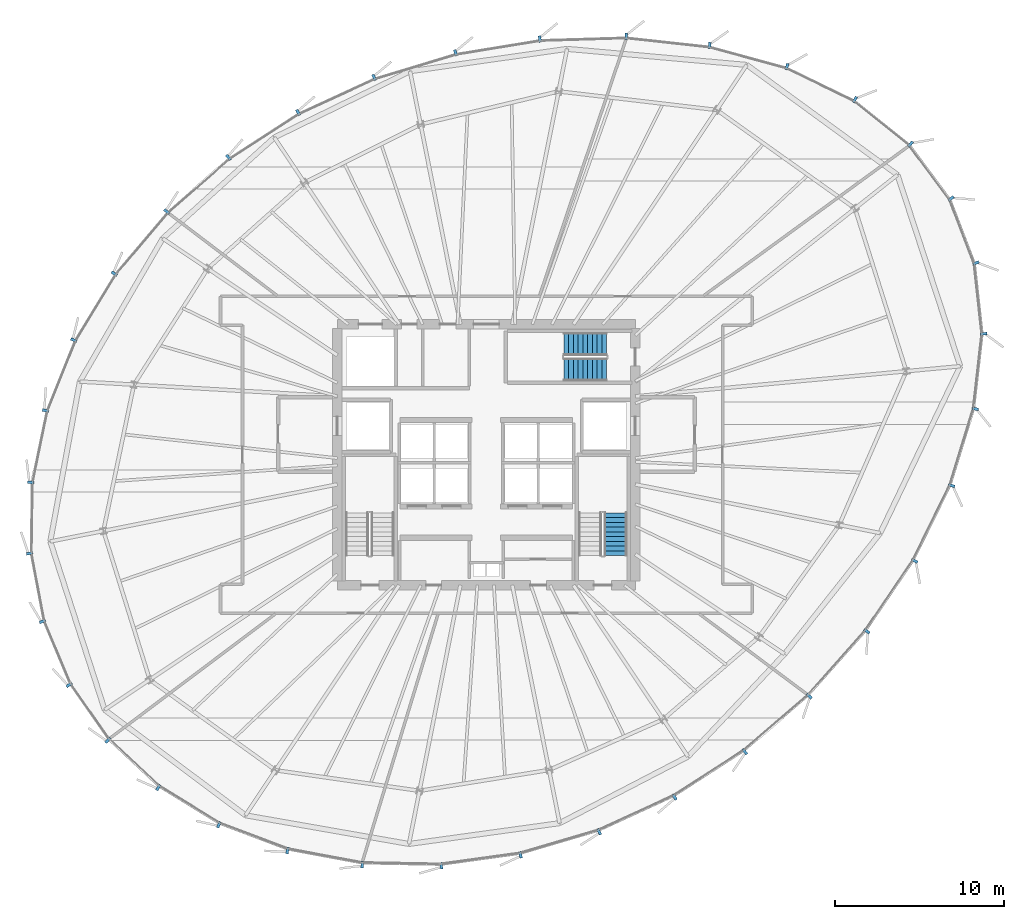
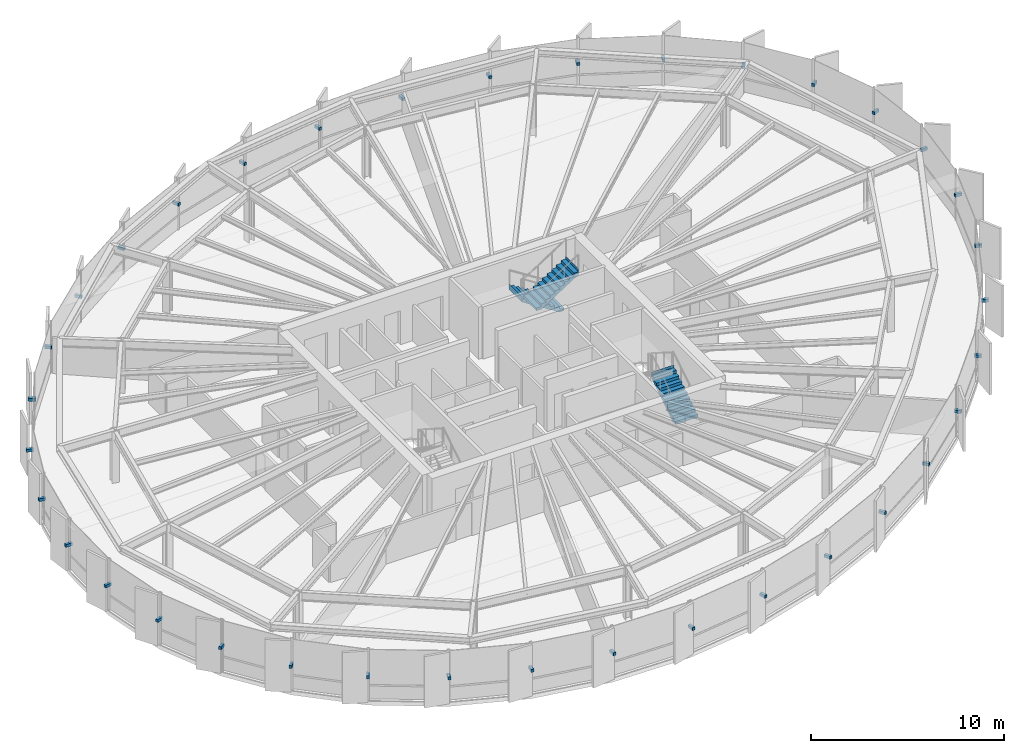
# One storey, part 31 of 36: 36 discrete accessories, 3 stair flights, 2 elements without a shape of their own.
"""IFC4 building model written with IfcOpenShell, lengths in metres."""

from ifc_helpers import new_model, si_unit, direction, frame, origin, origin_2d, place, context, subcontext, project, spatial, polyline, rectangle, outline, extrude, source, transform, mapped, material, type_object, element, aggregate, save


model = new_model("IFC4")

# Units and contexts
model_context = context("Model", 3, precision=1e-05, world=origin(), true_north=direction((0.0, 1.0)))
body_context = subcontext(model_context, "Body", "Model", "MODEL_VIEW")
ifc_project = project(units=[si_unit("LENGTHUNIT", "METRE"), si_unit("AREAUNIT", "SQUARE_METRE"), si_unit("VOLUMEUNIT", "CUBIC_METRE"), si_unit("PLANEANGLEUNIT", "RADIAN"), si_unit("MASSUNIT", "GRAM", prefix="KILO"), si_unit("THERMODYNAMICTEMPERATUREUNIT", "KELVIN")], contexts=[model_context])

# Site, building, storey
site_placement = place(None, origin())
site = spatial("IfcSite", under=ifc_project, at=site_placement, CompositionType="ELEMENT")
building_placement = place(site_placement, origin())
building = spatial("IfcBuilding", under=site, at=building_placement, Name="Kethvar Cultural Tower", CompositionType="ELEMENT")
storey_placement = place(building_placement, frame((0.0, 0.0, 150.10009765625)))
storey = spatial("IfcBuildingStorey", under=building, at=storey_placement, Name="L38", CompositionType="ELEMENT", Elevation=150.10009765625)

# Stair, stair flight
ifc_material_1 = material(Name="Concrete C40/50", Category="concrete")
stair_type = type_object("IfcStairType", Name="ST-DOGLEG-135", PredefinedType="HALF_TURN_STAIR", material=ifc_material_1)
stair_1_placement = place(storey_placement, origin())
stair_1 = element("IfcStair", 1, at=stair_1_placement, inside=storey, type_object=stair_type, Name="L38 Core Exit Stair 2", PredefinedType="HALF_TURN_STAIR")
stair_flight_type = type_object("IfcStairFlightType", Name="FL-STRAIGHT-135", PredefinedType="STRAIGHT", material=ifc_material_1)
stair_flight_1_placement = place(storey_placement, frame((54.43505859375, 21.85009765625, 0.0), z_axis=(0.0, 0.0, 1.0), x_axis=(0.0, 1.0, 0.0)))
stair_flight_1 = element("IfcStairFlight", 2, at=stair_flight_1_placement, type_object=stair_flight_type, Name="ST-02 flight 1", NumberOfRisers=10, NumberOfTreads=9, PredefinedType="STRAIGHT", RiserHeight=0.1775, TreadLength=0.28, context=body_context, shape_type="SweptSolid", body=[
    extrude(outline(polyline([(-0.0009765625, -0.0009765625), (-0.0009765625, 0.177490234375), (0.280029296875, 0.177490234375), (0.280029296875, 0.35498046875), (0.56005859375, 0.35498046875), (0.56005859375, 0.532470703125), (0.840087890625, 0.532470703125), (0.840087890625, 0.7099609375), (1.1201171875, 0.7099609375), (1.1201171875, 0.887451171875), (1.39990234375, 0.887451171875), (1.39990234375, 1.06494140625), (1.679931640625, 1.06494140625), (1.679931640625, 1.242431640625), (1.9599609375, 1.242431640625), (1.9599609375, 1.419921875), (2.239990234375, 1.419921875), (2.239990234375, 1.597412109375), (2.52001953125, 1.597412109375), (2.52001953125, 1.77490234375), (2.52099609375, 1.77490234375), (2.52099609375, 1.419921875), (0.280029296875, 0.0), (0.0, -0.0009765625), (-0.0009765625, -0.0009765625)])), frame((0.0, 0.675048828125, 0.0), z_axis=(0.0, -1.0, 0.0), x_axis=(1.0, 0.0, 0.0)), (0.0, 0.0, 1.0), 1.35009765625),
])
aggregate(stair_1, [stair_flight_1])

# Stair, stair flights
stair_2_placement = place(storey_placement, origin())
stair_2 = element("IfcStair", 3, at=stair_2_placement, inside=storey, type_object=stair_type, Name="L38 Core Exit Stair 3", PredefinedType="HALF_TURN_STAIR")
stair_flight_2_placement = place(storey_placement, frame((53.89990234375, 34.3349609375, 0.0), z_axis=(0.0, 0.0, 1.0), x_axis=(-1.0, 0.0, 0.0)))
stair_flight_2 = element("IfcStairFlight", 4, at=stair_flight_2_placement, type_object=stair_flight_type, Name="ST-03 flight 1", NumberOfRisers=10, NumberOfTreads=9, PredefinedType="STRAIGHT", RiserHeight=0.1775, TreadLength=0.28, context=body_context, shape_type="SweptSolid", body=[
    extrude(outline(polyline([(-0.0009765625, -0.0009765625), (-0.0009765625, 0.177490234375), (0.280029296875, 0.177490234375), (0.280029296875, 0.35498046875), (0.56005859375, 0.35498046875), (0.56005859375, 0.532470703125), (0.840087890625, 0.532470703125), (0.840087890625, 0.7099609375), (1.1201171875, 0.7099609375), (1.1201171875, 0.887451171875), (1.39990234375, 0.887451171875), (1.39990234375, 1.06494140625), (1.679931640625, 1.06494140625), (1.679931640625, 1.242431640625), (1.9599609375, 1.242431640625), (1.9599609375, 1.419921875), (2.239990234375, 1.419921875), (2.239990234375, 1.597412109375), (2.52001953125, 1.597412109375), (2.52001953125, 1.77490234375), (2.52099609375, 1.77490234375), (2.52099609375, 1.419921875), (0.280029296875, 0.0), (0.0, -0.0009765625), (-0.0009765625, -0.0009765625)])), frame((0.0, 0.675048828125, 0.0), z_axis=(0.0, -1.0, 0.0), x_axis=(1.0, 0.0, 0.0)), (0.0, 0.0, 1.0), 1.35009765625),
])
stair_flight_3_placement = place(storey_placement, frame((51.3798828125, 32.824951171875, 1.77490234375), z_axis=(0.0, 0.0, 1.0), x_axis=(1.0, 0.0, 0.0)))
stair_flight_3 = element("IfcStairFlight", 5, at=stair_flight_3_placement, type_object=stair_flight_type, Name="ST-03 flight 2", NumberOfRisers=10, NumberOfTreads=9, PredefinedType="STRAIGHT", RiserHeight=0.1775, TreadLength=0.28, context=body_context, shape_type="SweptSolid", body=[
    extrude(outline(polyline([(-0.0009765625, -0.0009765625), (-0.0009765625, 0.177490234375), (0.280029296875, 0.177490234375), (0.280029296875, 0.35498046875), (0.56005859375, 0.35498046875), (0.56005859375, 0.532470703125), (0.840087890625, 0.532470703125), (0.840087890625, 0.7099609375), (1.1201171875, 0.7099609375), (1.1201171875, 0.887451171875), (1.39990234375, 0.887451171875), (1.39990234375, 1.06494140625), (1.679931640625, 1.06494140625), (1.679931640625, 1.242431640625), (1.9599609375, 1.242431640625), (1.9599609375, 1.419921875), (2.239990234375, 1.419921875), (2.239990234375, 1.597412109375), (2.52001953125, 1.597412109375), (2.52001953125, 1.77490234375), (2.52099609375, 1.77490234375), (2.52099609375, 1.419921875), (0.280029296875, 0.0), (0.0, -0.0009765625), (-0.0009765625, -0.0009765625)])), frame((0.0, 0.675048828125, 0.0), z_axis=(0.0, -1.0, 0.0), x_axis=(1.0, 0.0, 0.0)), (0.0, 0.0, 1.0), 1.35009765625),
])
aggregate(stair_2, [stair_flight_2, stair_flight_3])

# Discrete accessories
ifc_material_2 = material(Name="Steel S355J2", Category="steel")
discrete_accessory_type = type_object("IfcDiscreteAccessoryType", Name="Steel Fin Bracket BRK-01", PredefinedType="BRACKET", material=ifc_material_2)
shared_shape = source(origin(), body_context, "Body", "SweptSolid", [
    extrude(rectangle(XDim=0.3798828125, YDim=0.159912109375, at=origin_2d()), origin(), (0.0, 0.0, 1.0), 0.179931640625),
])
for number, where, z_axis, x_axis, name in (
    (6, (74.240966796875, 42.931396484375, 1.56005859375), (0.0, 0.0, 1.0), (0.802921523834, 0.596084747803, 0.0), "L38 Terracotta Fin Bracket 1.1"),
    (7, (71.853515625, 46.1474609375, 1.56005859375), (0.0, 0.0, 1.0), (0.624970196645, 0.780648610647, 0.0), "L38 Terracotta Fin Bracket 1.2"),
    (8, (68.570068359375, 48.775634765625, 1.56005859375), (0.0, 0.0, 1.0), (0.437115766651, 0.899405251566, 0.0), "L38 Terracotta Fin Bracket 1.3"),
    (9, (64.553955078125, 50.72705078125, 1.56005859375), (0.0, 0.0, 1.0), (0.263199597605, 0.964741401527, 0.0), "L38 Terracotta Fin Bracket 1.4"),
    (10, (59.984619140625, 51.973876953125, 1.56005859375), (0.0, 0.0, 1.0), (0.109040368753, 0.994037322228, 0.0), "L38 Terracotta Fin Bracket 1.5"),
    (11, (55.063720703125, 52.512939453125, 1.56005859375), (0.0, 0.0, 1.0), (-0.030189608314, 0.999544189894, 0.0), "L38 Terracotta Fin Bracket 1.6"),
    (12, (49.9599609375, 52.35400390625, 1.56005859375), (0.0, 0.0, 1.0), (-0.161259333635, 0.986912066658, 0.0), "L38 Terracotta Fin Bracket 2.1"),
    (13, (44.98046875, 51.54052734375, 1.56005859375), (0.0, 0.0, 1.0), (-0.289867105645, 0.957066905219, 0.0), "L38 Terracotta Fin Bracket 2.2"),
    (14, (40.170654296875, 50.083984375, 1.56005859375), (0.0, 0.0, 1.0), (-0.418342710268, 0.908289258312, 0.0), "L38 Terracotta Fin Bracket 2.3"),
    (15, (35.6845703125, 48.017578125, 1.56005859375), (0.0, 0.0, 1.0), (-0.543174449951, 0.839619864534, 0.0), "L38 Terracotta Fin Bracket 2.4"),
    (16, (31.5712890625, 45.356201171875, 1.56005859375), (0.0, 0.0, 1.0), (-0.658558128912, 0.752529860433, 0.0), "L38 Terracotta Fin Bracket 2.5"),
    (17, (27.9208984375, 42.16162109375, 1.56005859375), (0.0, 0.0, 1.0), (-0.762894055451, 0.646523518642, 0.0), "L38 Terracotta Fin Bracket 2.6"),
    (18, (24.823486328125, 38.497314453125, 1.56005859375), (0.0, 0.0, 1.0), (-0.854095929175, 0.520115510024, 0.0), "L38 Terracotta Fin Bracket 3.1"),
    (19, (22.433837890625, 34.573486328125, 1.56005859375), (0.0, 0.0, 1.0), (-0.928096422365, 0.372339939832, 0.0), "L38 Terracotta Fin Bracket 3.2"),
    (20, (20.764404296875, 30.410400390625, 1.56005859375), (0.0, 0.0, 1.0), (-0.979222810622, 0.202787295357, 0.0), "L38 Terracotta Fin Bracket 3.3"),
    (21, (19.8857421875, 26.167724609375, 1.56005859375), (0.0, 0.0, 1.0), (-0.999895076365, 0.014485726139, 0.0), "L38 Terracotta Fin Bracket 3.4"),
    (22, (19.824951171875, 21.974853515625, 1.56005859375), (0.0, 0.0, 1.0), (-0.982612796544, -0.185666615386, 0.0), "L38 Terracotta Fin Bracket 3.5"),
    (23, (20.583984375, 17.958740234375, 1.56005859375), (0.0, 0.0, 1.0), (-0.922470722095, -0.386067049717, 0.0), "L38 Terracotta Fin Bracket 3.6"),
    (24, (22.162109375, 14.209716796875, 1.56005859375), (0.0, 0.0, 1.0), (-0.820251721675, -0.572002721226, 0.0), "L38 Terracotta Fin Bracket 4.1"),
    (25, (24.445068359375, 10.936767578125, 1.56005859375), (0.0, 0.0, 1.0), (-0.683273773681, -0.730162276621, 0.0), "L38 Terracotta Fin Bracket 4.2"),
    (26, (27.429443359375, 8.144287109375, 1.56005859375), (0.0, 0.0, 1.0), (-0.523539870984, -0.852001175756, 0.0), "L38 Terracotta Fin Bracket 4.3"),
    (27, (31.002197265625, 5.94921875, 1.56005859375), (0.0, 0.0, 1.0), (-0.353474843779, -0.93544403083, 0.0), "L38 Terracotta Fin Bracket 4.4"),
    (28, (35.054931640625, 4.418212890625, 1.56005859375), (0.0, 0.0, 1.0), (-0.182921922448, -0.983127443564, 0.0), "L38 Terracotta Fin Bracket 4.5"),
    (29, (39.464599609375, 3.597412109375, 1.56005859375), (0.0, 0.0, 1.0), (-0.018499434735, -0.999828870815, 0.0), "L38 Terracotta Fin Bracket 4.6"),
    (30, (44.1357421875, 3.517578125, 1.56005859375), (0.0, 0.0, 1.0), (0.137098784642, -0.990557380089, 0.0), "L38 Terracotta Fin Bracket 5.1"),
    (31, (48.811279296875, 4.164794921875, 1.56005859375), (0.0, 0.0, 1.0), (0.282508884416, -0.959264682049, 0.0), "L38 Terracotta Fin Bracket 5.2"),
    (32, (53.464599609375, 5.535400390625, 1.56005859375), (0.0, 0.0, 1.0), (0.417867073801, -0.908508177527, 0.0), "L38 Terracotta Fin Bracket 5.3"),
    (33, (57.915283203125, 7.58251953125, 1.56005859375), (0.0, 0.0, 1.0), (0.542734751581, -0.839904154905, 0.0), "L38 Terracotta Fin Bracket 5.4"),
    (34, (62.063720703125, 10.26318359375, 1.56005859375), (0.0, 0.0, 1.0), (0.652759752463, -0.757564984384, 0.0), "L38 Terracotta Fin Bracket 5.5"),
    (35, (65.87060546875, 13.543701171875, 1.56005859375), (0.0, 0.0, 1.0), (0.746870345992, -0.664969688239, 0.0), "L38 Terracotta Fin Bracket 5.6"),
    (36, (69.2734375, 17.373779296875, 1.56005859375), (0.0, 0.0, 1.0), (0.827766671236, -0.56107248907, 0.0), "L38 Terracotta Fin Bracket 6.1"),
    (37, (72.0947265625, 21.53662109375, 1.56005859375), (0.0, 0.0, 1.0), (0.897720221461, -0.440566004113, 0.0), "L38 Terracotta Fin Bracket 6.2"),
    (38, (74.27587890625, 25.98046875, 1.56005859375), (0.0, 0.0, 1.0), (0.955587503022, -0.294707522925, 0.0), "L38 Terracotta Fin Bracket 6.3"),
    (39, (75.67138671875, 30.507080078125, 1.56005859375), (0.0, 0.0, 1.0), (0.99361131052, -0.112856384873, 0.0), "L38 Terracotta Fin Bracket 6.4"),
    (40, (76.175537109375, 34.944091796875, 1.56005859375), (0.0, 0.0, 1.0), (0.993999199399, 0.109387346587, 0.0), "L38 Terracotta Fin Bracket 6.5"),
    (41, (75.71484375, 39.124755859375, 1.56005859375), (0.0, 0.0, 1.0), (0.933517865272, 0.358530884609, 0.0), "L38 Terracotta Fin Bracket 6.6"),
):
    element("IfcDiscreteAccessory", number, at=place(storey_placement, frame(where, z_axis=z_axis, x_axis=x_axis)), inside=storey, type_object=discrete_accessory_type, Name=name, PredefinedType="BRACKET", context=body_context, shape_type="MappedRepresentation", body=[
        mapped(shared_shape, transform((0.0, 0.0, 0.0), scale=1.0)),
    ])

save(model, "model.ifc")
